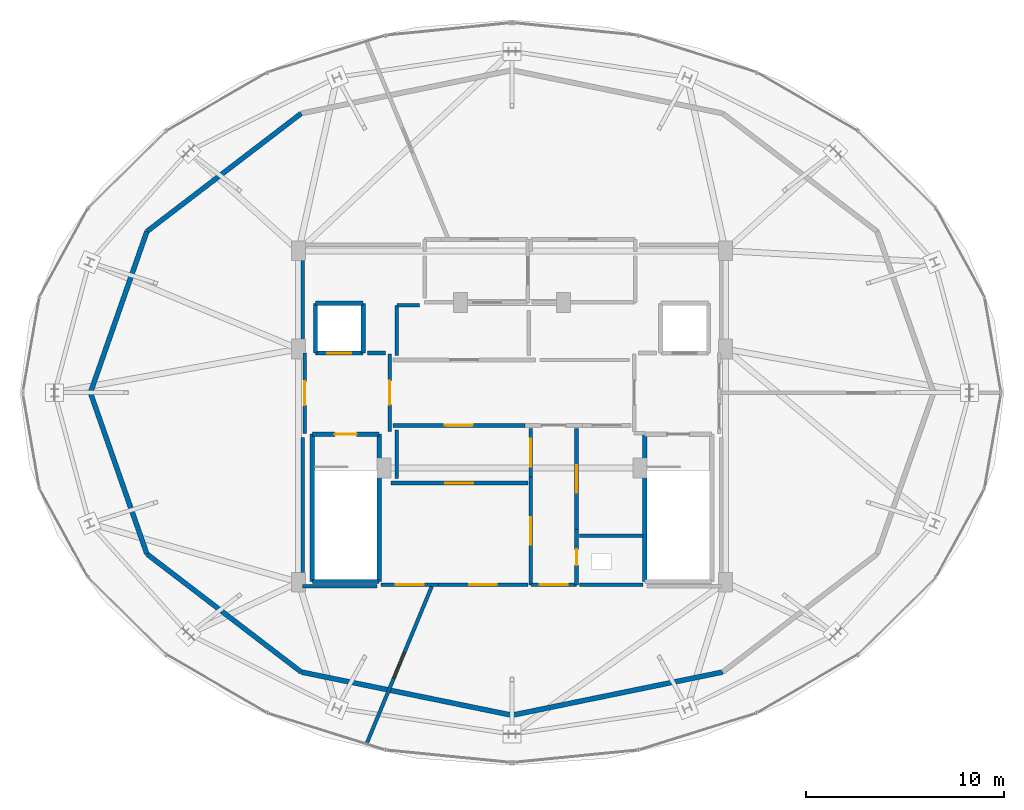
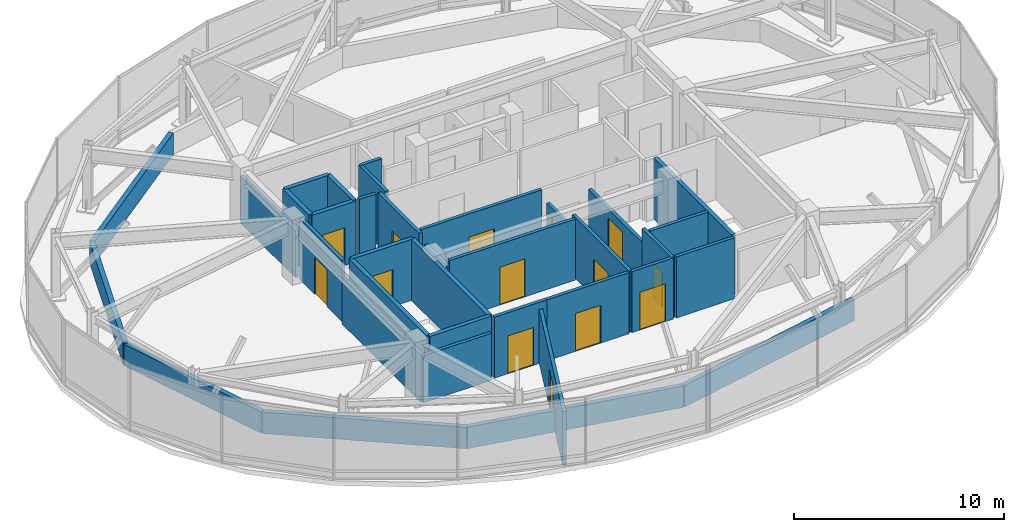
# One storey, part 25 of 28: 36 walls, 14 doors, 14 openings.
"""IFC4 building model written with IfcOpenShell, lengths in metres."""

from ifc_helpers import new_model, si_unit, direction, frame, frame_2d, origin, place, context, subcontext, project, spatial, rectangle, extrude, material, layer, layer_set, type_object, element, fill, save


model = new_model("IFC4")

# Units and contexts
model_context = context("Model", 3, precision=1e-05, world=origin(), true_north=direction((0.0, 1.0)))
body_context = subcontext(model_context, "Body", "Model", "MODEL_VIEW")
ifc_project = project(units=[si_unit("LENGTHUNIT", "METRE"), si_unit("AREAUNIT", "SQUARE_METRE"), si_unit("VOLUMEUNIT", "CUBIC_METRE"), si_unit("PLANEANGLEUNIT", "RADIAN"), si_unit("MASSUNIT", "GRAM", prefix="KILO")], contexts=[model_context])

# Site, building, storey
site_placement = place(None, origin())
site = spatial("IfcSite", under=ifc_project, at=site_placement, CompositionType="ELEMENT")
building_placement = place(site_placement, origin())
building = spatial("IfcBuilding", under=site, at=building_placement, Name="Vorneva Point Tower", CompositionType="ELEMENT")
storey_placement = place(building_placement, frame((0.0, 0.0, 295.39990234375)))
storey = spatial("IfcBuildingStorey", under=building, at=storey_placement, Name="C01", CompositionType="ELEMENT", Elevation=295.39990234375)

# Wall, opening, door
ifc_material_1 = material(Name="Concrete B60 (C50/60)", Category="concrete")
ifc_layer_1 = layer(ifc_material_1, 0.35009765625)
ifc_layer_set_1 = layer_set([ifc_layer_1], Name="Concrete B60 (C50/60)")
wall_type_1 = type_object("IfcWallType", Name="WL-CORE-350", PredefinedType="SHEAR", material=ifc_layer_set_1)
wall_1_placement = place(storey_placement, frame((28.10009765625, 28.0, 0.0), z_axis=(0.0, 0.0, 1.0), x_axis=(1.0, 0.0, 0.0)))
wall_1 = element("IfcWall", 1, at=wall_1_placement, inside=storey, type_object=wall_type_1, Name="C01 Lift FFL1 Shaft Wall -Y", PredefinedType="SHEAR", context=body_context, shape_type="SweptSolid", body=[
    extrude(rectangle(XDim=2.39990234375, YDim=0.219970703125, at=frame_2d((1.199951171875, 0.0))), origin(), (0.0, 0.0, 1.0), 3.550048828125),
])
opening_1_placement = place(wall_1_placement, frame((0.60009765625, 0.0, 0.0)))
opening_1 = element("IfcOpeningElement", 2, at=opening_1_placement, cuts=wall_1, Name="Opening LD-02", PredefinedType="OPENING", context=body_context, shape_type="SweptSolid", body=[
    extrude(rectangle(XDim=1.199951171875, YDim=2.199951171875, at=frame_2d((0.60009765625, 1.10009765625))), frame((0.0, 0.125, 0.0), z_axis=(0.0, -1.0, 0.0), x_axis=(1.0, 0.0, 0.0)), (0.0, 0.0, 1.0), 0.249755859375),
])
ifc_material_2 = material(Name="Brushed stainless steel S304", Category="steel")
door_type_1 = type_object("IfcDoorType", Name="LD-FIRE-1200", OperationType="SLIDING_TO_LEFT", PredefinedType="DOOR", material=ifc_material_2)
door_1_placement = place(opening_1_placement, origin())
door_1 = element("IfcDoor", 3, at=door_1_placement, inside=storey, type_object=door_type_1, Name="C01 Lift FFL1 Sliding Landing Door", OperationType="SLIDING_TO_LEFT", OverallHeight=2.199951171875, OverallWidth=1.199951171875, PredefinedType="DOOR", context=body_context, shape_type="SweptSolid", body=[
    extrude(rectangle(XDim=1.199951171875, YDim=2.199951171875, at=frame_2d((0.60009765625, 1.10009765625))), frame((0.0, 0.02490234375, 0.0), z_axis=(0.0, -1.0, 0.0), x_axis=(1.0, 0.0, 0.0)), (0.0, 0.0, 1.0), 0.050048828125),
])
fill(opening_1, door_1)

# Walls
wall_2_placement = place(storey_placement, frame((30.5, 28.0, 0.0), z_axis=(0.0, 0.0, 1.0), x_axis=(0.0, 1.0, 0.0)))
element("IfcWall", 4, at=wall_2_placement, inside=storey, type_object=wall_type_1, Name="C01 Lift FFL1 Shaft Wall +X", PredefinedType="SHEAR", context=body_context, shape_type="SweptSolid", body=[
    extrude(rectangle(XDim=2.5, YDim=0.219970703125, at=frame_2d((1.25, 0.0))), origin(), (0.0, 0.0, 1.0), 3.550048828125),
])
wall_3_placement = place(storey_placement, frame((30.5, 30.5, 0.0), z_axis=(0.0, 0.0, 1.0), x_axis=(-1.0, 0.0, 0.0)))
element("IfcWall", 5, at=wall_3_placement, inside=storey, type_object=wall_type_1, Name="C01 Lift FFL1 Shaft Wall +Y", PredefinedType="SHEAR", context=body_context, shape_type="SweptSolid", body=[
    extrude(rectangle(XDim=2.39990234375, YDim=0.219970703125, at=frame_2d((1.199951171875, 0.0))), origin(), (0.0, 0.0, 1.0), 3.550048828125),
])
wall_4_placement = place(storey_placement, frame((28.10009765625, 30.5, 0.0), z_axis=(0.0, 0.0, 1.0), x_axis=(0.0, -1.0, 0.0)))
element("IfcWall", 6, at=wall_4_placement, inside=storey, type_object=wall_type_1, Name="C01 Lift FFL1 Shaft Wall -X", PredefinedType="SHEAR", context=body_context, shape_type="SweptSolid", body=[
    extrude(rectangle(XDim=2.5, YDim=0.219970703125, at=frame_2d((1.25, 0.0))), origin(), (0.0, 0.0, 1.0), 3.550048828125),
])
ifc_material_3 = material(Name="Precast concrete B50 (C40/50)", Category="concrete")
ifc_layer_2 = layer(ifc_material_3, 0.25)
ifc_layer_set_2 = layer_set([ifc_layer_2], Name="Precast concrete B50 (C40/50)")
wall_type_2 = type_object("IfcWallType", Name="WL-PAR-250", PredefinedType="PARAPET", material=ifc_layer_set_2)
wall_5_placement = place(storey_placement, frame((27.37890625, 40.072998046875, 0.0), z_axis=(0.0, 0.0, 1.0), x_axis=(-0.794235350053, -0.607610244092, 0.0)))
element("IfcWall", 7, at=wall_5_placement, inside=storey, type_object=wall_type_2, Name="C01 Crown Maintenance Parapet Ring Wall 05", PredefinedType="PARAPET", context=body_context, shape_type="SweptSolid", body=[
    extrude(rectangle(XDim=9.7890625, YDim=0.25, at=frame_2d((4.89453125, 0.0))), origin(), (0.0, 0.0, 1.0), 1.25),
])
for number, where, z_axis, x_axis, name in (
    (8, (19.60400390625, 34.125, 0.0), (0.0, 0.0, 1.0), (-0.330577790312, -0.943778747669, 0.0), "C01 Crown Maintenance Parapet Ring Wall 06"),
    (9, (16.758056640625, 26.0, 0.0), (0.0, 0.0, 1.0), (0.330577790312, -0.943778747669, 0.0), "C01 Crown Maintenance Parapet Ring Wall 07"),
):
    element("IfcWall", number, at=place(storey_placement, frame(where, z_axis=z_axis, x_axis=x_axis)), inside=storey, type_object=wall_type_2, Name=name, PredefinedType="PARAPET", context=body_context, shape_type="SweptSolid", body=[
        extrude(rectangle(XDim=8.609130859375, YDim=0.25, at=frame_2d((4.3046875, 0.0))), origin(), (0.0, 0.0, 1.0), 1.25),
    ])
wall_6_placement = place(storey_placement, frame((19.60400390625, 17.875, 0.0), z_axis=(0.0, 0.0, 1.0), x_axis=(0.794235350053, -0.607610244092, 0.0)))
element("IfcWall", 10, at=wall_6_placement, inside=storey, type_object=wall_type_2, Name="C01 Crown Maintenance Parapet Ring Wall 08", PredefinedType="PARAPET", context=body_context, shape_type="SweptSolid", body=[
    extrude(rectangle(XDim=9.7890625, YDim=0.25, at=frame_2d((4.89453125, 0.0))), origin(), (0.0, 0.0, 1.0), 1.25),
])
for number, where, z_axis, x_axis, name in (
    (11, (27.37890625, 11.927001953125, 0.0), (0.0, 0.0, 1.0), (0.979633262956, -0.200795094837, 0.0), "C01 Crown Maintenance Parapet Ring Wall 09"),
    (12, (38.0, 9.75, 0.0), (0.0, 0.0, 1.0), (0.979633262956, 0.200795094837, 0.0), "C01 Crown Maintenance Parapet Ring Wall 10"),
):
    element("IfcWall", number, at=place(storey_placement, frame(where, z_axis=z_axis, x_axis=x_axis)), inside=storey, type_object=wall_type_2, Name=name, PredefinedType="PARAPET", context=body_context, shape_type="SweptSolid", body=[
        extrude(rectangle(XDim=10.841796875, YDim=0.25, at=frame_2d((5.4208984375, 0.0))), origin(), (0.0, 0.0, 1.0), 1.25),
    ])

# Wall, opening, door
ifc_material_4 = material(Name="Autoclaved aerated concrete blockwork", Category="masonry")
ifc_layer_3 = layer(ifc_material_4, 0.179931640625)
ifc_layer_set_3 = layer_set([ifc_layer_3], Name="Autoclaved aerated concrete blockwork")
wall_type_3 = type_object("IfcWallType", Name="WL-PART-180", PredefinedType="PARTITIONING", material=ifc_layer_set_3)
wall_7_placement = place(storey_placement, frame((31.85009765625, 24.044921875, 0.0), z_axis=(0.0, 0.0, 1.0), x_axis=(0.0, 1.0, 0.0)))
wall_7 = element("IfcWall", 13, at=wall_7_placement, inside=storey, type_object=wall_type_3, Name="C01 Interior Partition 001", PredefinedType="PARTITIONING", context=body_context, shape_type="SweptSolid", body=[
    extrude(rectangle(XDim=3.91015625, YDim=0.179931640625, at=frame_2d((1.955078125, 0.0))), origin(), (0.0, 0.0, 1.0), 3.550048828125),
])
opening_2_placement = place(wall_7_placement, frame((1.35498046875, 0.0, 0.0)))
opening_2 = element("IfcOpeningElement", 14, at=opening_2_placement, cuts=wall_7, Name="Opening FD-02", PredefinedType="OPENING", context=body_context, shape_type="SweptSolid", body=[
    extrude(rectangle(XDim=1.199951171875, YDim=2.14990234375, at=frame_2d((0.60009765625, 1.074951171875))), frame((0.0, 0.10498046875, 0.0), z_axis=(0.0, -1.0, 0.0), x_axis=(1.0, 0.0, 0.0)), (0.0, 0.0, 1.0), 0.209716796875),
])
ifc_material_5 = material(Name="Fire-rated powder-coated steel", Category="steel")
door_type_2 = type_object("IfcDoorType", Name="DR-FFL-1200", OperationType="NOTDEFINED", PredefinedType="DOOR", material=ifc_material_5)
door_2_placement = place(opening_2_placement, origin())
door_2 = element("IfcDoor", 15, at=door_2_placement, inside=storey, type_object=door_type_2, Name="C01 Door West Firefighting Lobby / Central Lift Lobby", OperationType="SINGLE_SWING_RIGHT", OverallHeight=2.14990234375, OverallWidth=1.199951171875, PredefinedType="DOOR", context=body_context, shape_type="SweptSolid", body=[
    extrude(rectangle(XDim=1.199951171875, YDim=2.14990234375, at=frame_2d((0.60009765625, 1.074951171875))), frame((0.0, 0.02490234375, 0.0), z_axis=(0.0, -1.0, 0.0), x_axis=(1.0, 0.0, 0.0)), (0.0, 0.0, 1.0), 0.050048828125),
])
fill(opening_2, door_2)

wall_8_placement = place(storey_placement, frame((27.550048828125, 28.0, 0.0), z_axis=(0.0, 0.0, 1.0), x_axis=(0.0, -1.0, 0.0)))
wall_8 = element("IfcWall", 16, at=wall_8_placement, inside=storey, type_object=wall_type_3, Name="C01 Interior Partition 002", PredefinedType="PARTITIONING", context=body_context, shape_type="SweptSolid", body=[
    extrude(rectangle(XDim=4.050048828125, YDim=0.179931640625, at=frame_2d((2.02490234375, 0.0))), origin(), (0.0, 0.0, 1.0), 3.550048828125),
])
opening_3_placement = place(wall_8_placement, frame((1.425048828125, 0.0, 0.0)))
opening_3 = element("IfcOpeningElement", 17, at=opening_3_placement, cuts=wall_8, Name="Opening FD-02", PredefinedType="OPENING", context=body_context, shape_type="SweptSolid", body=[
    extrude(rectangle(XDim=1.199951171875, YDim=2.14990234375, at=frame_2d((0.60009765625, 1.074951171875))), frame((0.0, 0.10498046875, 0.0), z_axis=(0.0, -1.0, 0.0), x_axis=(1.0, 0.0, 0.0)), (0.0, 0.0, 1.0), 0.209716796875),
])
door_3_placement = place(opening_3_placement, origin())
door_3 = element("IfcDoor", 18, at=door_3_placement, inside=storey, type_object=door_type_2, Name="C01 Door West Firefighting Lobby / Crown Heat Recovery Air Handling Plant", OperationType="SINGLE_SWING_RIGHT", OverallHeight=2.14990234375, OverallWidth=1.199951171875, PredefinedType="DOOR", context=body_context, shape_type="SweptSolid", body=[
    extrude(rectangle(XDim=1.199951171875, YDim=2.14990234375, at=frame_2d((0.60009765625, 1.074951171875))), frame((0.0, 0.02490234375, 0.0), z_axis=(0.0, -1.0, 0.0), x_axis=(1.0, 0.0, 0.0)), (0.0, 0.0, 1.0), 0.050048828125),
])
fill(opening_3, door_3)

wall_9_placement = place(storey_placement, frame((32.0, 24.35009765625, 0.0), z_axis=(0.0, 0.0, 1.0), x_axis=(1.0, 0.0, 0.0)))
wall_9 = element("IfcWall", 19, at=wall_9_placement, inside=storey, type_object=wall_type_3, Name="C01 Interior Partition 010", PredefinedType="PARTITIONING", context=body_context, shape_type="SweptSolid", body=[
    extrude(rectangle(XDim=6.64501953125, YDim=0.179931640625, at=frame_2d((3.322509765625, 0.0))), origin(), (0.0, 0.0, 1.0), 3.550048828125),
])
opening_4_placement = place(wall_9_placement, frame((2.62255859375, 0.0, 0.0)))
opening_4 = element("IfcOpeningElement", 20, at=opening_4_placement, cuts=wall_9, Name="Opening FD-03", PredefinedType="OPENING", context=body_context, shape_type="SweptSolid", body=[
    extrude(rectangle(XDim=1.39990234375, YDim=2.199951171875, at=frame_2d((0.699951171875, 1.10009765625))), frame((0.0, 0.10498046875, 0.0), z_axis=(0.0, -1.0, 0.0), x_axis=(1.0, 0.0, 0.0)), (0.0, 0.0, 1.0), 0.209716796875),
])
door_type_3 = type_object("IfcDoorType", Name="DR-PLT-1400", OperationType="DOUBLE_SWING_LEFT", PredefinedType="DOOR", material=ifc_material_5)
door_4_placement = place(opening_4_placement, origin())
door_4 = element("IfcDoor", 21, at=door_4_placement, inside=storey, type_object=door_type_3, Name="C01 Door Central Lift Lobby / Crown Damper Control Room C01", OperationType="DOUBLE_SWING_LEFT", OverallHeight=2.199951171875, OverallWidth=1.39990234375, PredefinedType="DOOR", context=body_context, shape_type="SweptSolid", body=[
    extrude(rectangle(XDim=1.39990234375, YDim=2.199951171875, at=frame_2d((0.699951171875, 1.10009765625))), frame((0.0, 0.02490234375, 0.0), z_axis=(0.0, -1.0, 0.0), x_axis=(1.0, 0.0, 0.0)), (0.0, 0.0, 1.0), 0.050048828125),
])
fill(opening_4, door_4)

wall_10_placement = place(storey_placement, frame((38.949951171875, 21.7548828125, 0.0), z_axis=(0.0, 0.0, 1.0), x_axis=(0.0, -1.0, 0.0)))
wall_10 = element("IfcWall", 22, at=wall_10_placement, inside=storey, type_object=wall_type_3, Name="C01 Interior Partition 011", PredefinedType="PARTITIONING", context=body_context, shape_type="SweptSolid", body=[
    extrude(rectangle(XDim=5.434814453125, YDim=0.179931640625, at=frame_2d((2.71728515625, 0.0))), origin(), (0.0, 0.0, 1.0), 3.550048828125),
])
opening_5_placement = place(wall_10_placement, frame((2.017578125, 0.0, 0.0)))
opening_5 = element("IfcOpeningElement", 23, at=opening_5_placement, cuts=wall_10, Name="Opening FD-03", PredefinedType="OPENING", context=body_context, shape_type="SweptSolid", body=[
    extrude(rectangle(XDim=1.39990234375, YDim=2.199951171875, at=frame_2d((0.699951171875, 1.10009765625))), frame((0.0, 0.10498046875, 0.0), z_axis=(0.0, -1.0, 0.0), x_axis=(1.0, 0.0, 0.0)), (0.0, 0.0, 1.0), 0.209716796875),
])
door_5_placement = place(opening_5_placement, origin())
door_5 = element("IfcDoor", 24, at=door_5_placement, inside=storey, type_object=door_type_3, Name="C01 Door Core Service Lobby / Core Hydraulic Pump Plant C01", OperationType="DOUBLE_SWING_LEFT", OverallHeight=2.199951171875, OverallWidth=1.39990234375, PredefinedType="DOOR", context=body_context, shape_type="SweptSolid", body=[
    extrude(rectangle(XDim=1.39990234375, YDim=2.199951171875, at=frame_2d((0.699951171875, 1.10009765625))), frame((0.0, 0.02490234375, 0.0), z_axis=(0.0, -1.0, 0.0), x_axis=(1.0, 0.0, 0.0)), (0.0, 0.0, 1.0), 0.050048828125),
])
fill(opening_5, door_5)

wall_11_placement = place(storey_placement, frame((41.25, 16.320068359375, 0.0), z_axis=(0.0, 0.0, 1.0), x_axis=(0.0, 1.0, 0.0)))
wall_11 = element("IfcWall", 25, at=wall_11_placement, inside=storey, type_object=wall_type_3, Name="C01 Interior Partition 012", PredefinedType="PARTITIONING", context=body_context, shape_type="SweptSolid", body=[
    extrude(rectangle(XDim=2.784912109375, YDim=0.179931640625, at=frame_2d((1.392578125, 0.0))), origin(), (0.0, 0.0, 1.0), 3.550048828125),
])
opening_6_placement = place(wall_11_placement, frame((0.992431640625, 0.0, 0.0)))
opening_6 = element("IfcOpeningElement", 26, at=opening_6_placement, cuts=wall_11, Name="Opening RD-01", PredefinedType="OPENING", context=body_context, shape_type="SweptSolid", body=[
    extrude(rectangle(XDim=0.800048828125, YDim=2.050048828125, at=frame_2d((0.39990234375, 1.02490234375))), frame((0.0, 0.10498046875, 0.0), z_axis=(0.0, -1.0, 0.0), x_axis=(1.0, 0.0, 0.0)), (0.0, 0.0, 1.0), 0.209716796875),
])
door_type_4 = type_object("IfcDoorType", Name="DR-RSR-800", OperationType="SINGLE_SWING_LEFT", PredefinedType="DOOR", material=ifc_material_5)
door_6_placement = place(opening_6_placement, origin())
door_6 = element("IfcDoor", 27, at=door_6_placement, inside=storey, type_object=door_type_4, Name="C01 Door Core Service Lobby / Electrical Riser", OperationType="SINGLE_SWING_LEFT", OverallHeight=2.050048828125, OverallWidth=0.800048828125, PredefinedType="DOOR", context=body_context, shape_type="SweptSolid", body=[
    extrude(rectangle(XDim=0.800048828125, YDim=2.050048828125, at=frame_2d((0.39990234375, 1.02490234375))), frame((0.0, 0.02490234375, 0.0), z_axis=(0.0, -1.0, 0.0), x_axis=(1.0, 0.0, 0.0)), (0.0, 0.0, 1.0), 0.050048828125),
])
fill(opening_6, door_6)

wall_12_placement = place(storey_placement, frame((41.25, 19.10498046875, 0.0), z_axis=(0.0, 0.0, 1.0), x_axis=(0.0, 1.0, 0.0)))
wall_12 = element("IfcWall", 28, at=wall_12_placement, inside=storey, type_object=wall_type_3, Name="C01 Interior Partition 013", PredefinedType="PARTITIONING", context=body_context, shape_type="SweptSolid", body=[
    extrude(rectangle(XDim=5.094970703125, YDim=0.179931640625, at=frame_2d((2.54736328125, 0.0))), origin(), (0.0, 0.0, 1.0), 2.7421875),
])
opening_7_placement = place(wall_12_placement, frame((1.847412109375, 0.0, 0.0)))
opening_7 = element("IfcOpeningElement", 29, at=opening_7_placement, cuts=wall_12, Name="Opening FD-03", PredefinedType="OPENING", context=body_context, shape_type="SweptSolid", body=[
    extrude(rectangle(XDim=1.39990234375, YDim=2.199951171875, at=frame_2d((0.699951171875, 1.10009765625))), frame((0.0, 0.10498046875, 0.0), z_axis=(0.0, -1.0, 0.0), x_axis=(1.0, 0.0, 0.0)), (0.0, 0.0, 1.0), 0.209716796875),
])
door_7_placement = place(opening_7_placement, origin())
door_7 = element("IfcDoor", 30, at=door_7_placement, inside=storey, type_object=door_type_3, Name="C01 Door Core Service Lobby / Core BMS Control Plant C01", OperationType="DOUBLE_SWING_LEFT", OverallHeight=2.199951171875, OverallWidth=1.39990234375, PredefinedType="DOOR", context=body_context, shape_type="SweptSolid", body=[
    extrude(rectangle(XDim=1.39990234375, YDim=2.199951171875, at=frame_2d((0.699951171875, 1.10009765625))), frame((0.0, 0.02490234375, 0.0), z_axis=(0.0, -1.0, 0.0), x_axis=(1.0, 0.0, 0.0)), (0.0, 0.0, 1.0), 0.050048828125),
])
fill(opening_7, door_7)

wall_13_placement = place(storey_placement, frame((38.949951171875, 24.199951171875, 0.0), z_axis=(0.0, 0.0, 1.0), x_axis=(0.0, -1.0, 0.0)))
wall_13 = element("IfcWall", 31, at=wall_13_placement, inside=storey, type_object=wall_type_3, Name="C01 Interior Partition 014", PredefinedType="PARTITIONING", context=body_context, shape_type="SweptSolid", body=[
    extrude(rectangle(XDim=2.445068359375, YDim=0.179931640625, at=frame_2d((1.22265625, 0.0))), origin(), (0.0, 0.0, 1.0), 2.7421875),
])
opening_8_placement = place(wall_13_placement, frame((0.5224609375, 0.0, 0.0)))
opening_8 = element("IfcOpeningElement", 32, at=opening_8_placement, cuts=wall_13, Name="Opening FD-03", PredefinedType="OPENING", context=body_context, shape_type="SweptSolid", body=[
    extrude(rectangle(XDim=1.39990234375, YDim=2.199951171875, at=frame_2d((0.699951171875, 1.10009765625))), frame((0.0, 0.10498046875, 0.0), z_axis=(0.0, -1.0, 0.0), x_axis=(1.0, 0.0, 0.0)), (0.0, 0.0, 1.0), 0.209716796875),
])
door_8_placement = place(opening_8_placement, origin())
door_8 = element("IfcDoor", 33, at=door_8_placement, inside=storey, type_object=door_type_3, Name="C01 Door Core Service Lobby / Crown Damper Control Room C01", OperationType="DOUBLE_SWING_LEFT", OverallHeight=2.199951171875, OverallWidth=1.39990234375, PredefinedType="DOOR", context=body_context, shape_type="SweptSolid", body=[
    extrude(rectangle(XDim=1.39990234375, YDim=2.199951171875, at=frame_2d((0.699951171875, 1.10009765625))), frame((0.0, 0.02490234375, 0.0), z_axis=(0.0, -1.0, 0.0), x_axis=(1.0, 0.0, 0.0)), (0.0, 0.0, 1.0), 0.050048828125),
])
fill(opening_8, door_8)

wall_14_placement = place(storey_placement, frame((38.949951171875, 16.320068359375, 0.0), z_axis=(0.0, 0.0, 1.0), x_axis=(1.0, 0.0, 0.0)))
wall_14 = element("IfcWall", 34, at=wall_14_placement, inside=storey, type_object=wall_type_3, Name="C01 Interior Partition 015", PredefinedType="PARTITIONING", context=body_context, shape_type="SweptSolid", body=[
    extrude(rectangle(XDim=2.300048828125, YDim=0.179931640625, at=frame_2d((1.14990234375, 0.0))), origin(), (0.0, 0.0, 1.0), 3.550048828125),
])
opening_9_placement = place(wall_14_placement, frame((0.449951171875, 0.0, 0.0)))
opening_9 = element("IfcOpeningElement", 35, at=opening_9_placement, cuts=wall_14, Name="Opening FD-03", PredefinedType="OPENING", context=body_context, shape_type="SweptSolid", body=[
    extrude(rectangle(XDim=1.39990234375, YDim=2.199951171875, at=frame_2d((0.699951171875, 1.10009765625))), frame((0.0, 0.10498046875, 0.0), z_axis=(0.0, -1.0, 0.0), x_axis=(1.0, 0.0, 0.0)), (0.0, 0.0, 1.0), 0.209716796875),
])
door_9_placement = place(opening_9_placement, origin())
door_9 = element("IfcDoor", 36, at=door_9_placement, inside=storey, type_object=door_type_3, Name="C01 Door Core Service Lobby / Crown Electrical Switchgear Plant Room", OperationType="DOUBLE_SWING_LEFT", OverallHeight=2.199951171875, OverallWidth=1.39990234375, PredefinedType="DOOR", context=body_context, shape_type="SweptSolid", body=[
    extrude(rectangle(XDim=1.39990234375, YDim=2.199951171875, at=frame_2d((0.699951171875, 1.10009765625))), frame((0.0, 0.02490234375, 0.0), z_axis=(0.0, -1.0, 0.0), x_axis=(1.0, 0.0, 0.0)), (0.0, 0.0, 1.0), 0.050048828125),
])
fill(opening_9, door_9)

wall_15_placement = place(storey_placement, frame((38.800048828125, 21.449951171875, 0.0), z_axis=(0.0, 0.0, 1.0), x_axis=(-1.0, 0.0, 0.0)))
wall_15 = element("IfcWall", 37, at=wall_15_placement, inside=storey, type_object=wall_type_3, Name="C01 Interior Partition 024", PredefinedType="PARTITIONING", context=body_context, shape_type="SweptSolid", body=[
    extrude(rectangle(XDim=6.905029296875, YDim=0.179931640625, at=frame_2d((3.45263671875, 0.0))), origin(), (0.0, 0.0, 1.0), 3.550048828125),
])
opening_10_placement = place(wall_15_placement, frame((2.75244140625, 0.0, 0.0)))
opening_10 = element("IfcOpeningElement", 38, at=opening_10_placement, cuts=wall_15, Name="Opening FD-03", PredefinedType="OPENING", context=body_context, shape_type="SweptSolid", body=[
    extrude(rectangle(XDim=1.39990234375, YDim=2.199951171875, at=frame_2d((0.699951171875, 1.10009765625))), frame((0.0, 0.10498046875, 0.0), z_axis=(0.0, -1.0, 0.0), x_axis=(1.0, 0.0, 0.0)), (0.0, 0.0, 1.0), 0.209716796875),
])
door_10_placement = place(opening_10_placement, origin())
door_10 = element("IfcDoor", 39, at=door_10_placement, inside=storey, type_object=door_type_3, Name="C01 Door Core Hydraulic Pump Plant C01 / Crown Damper Control Room C01", OperationType="DOUBLE_SWING_LEFT", OverallHeight=2.199951171875, OverallWidth=1.39990234375, PredefinedType="DOOR", context=body_context, shape_type="SweptSolid", body=[
    extrude(rectangle(XDim=1.39990234375, YDim=2.199951171875, at=frame_2d((0.699951171875, 1.10009765625))), frame((0.0, 0.02490234375, 0.0), z_axis=(0.0, -1.0, 0.0), x_axis=(1.0, 0.0, 0.0)), (0.0, 0.0, 1.0), 0.050048828125),
])
fill(opening_10, door_10)

wall_16_placement = place(storey_placement, frame((31.39990234375, 16.320068359375, 0.0), z_axis=(0.0, 0.0, 1.0), x_axis=(1.0, 0.0, 0.0)))
wall_16 = element("IfcWall", 40, at=wall_16_placement, inside=storey, type_object=wall_type_3, Name="C01 Interior Partition 025", PredefinedType="PARTITIONING", context=body_context, shape_type="SweptSolid", body=[
    extrude(rectangle(XDim=2.88720703125, YDim=0.179931640625, at=frame_2d((1.443603515625, 0.0))), origin(), (0.0, 0.0, 1.0), 3.550048828125),
])
opening_11_placement = place(wall_16_placement, frame((0.743408203125, 0.0, 0.0)))
opening_11 = element("IfcOpeningElement", 41, at=opening_11_placement, cuts=wall_16, Name="Opening FD-03", PredefinedType="OPENING", context=body_context, shape_type="SweptSolid", body=[
    extrude(rectangle(XDim=1.39990234375, YDim=2.199951171875, at=frame_2d((0.699951171875, 1.10009765625))), frame((0.0, 0.10498046875, 0.0), z_axis=(0.0, -1.0, 0.0), x_axis=(1.0, 0.0, 0.0)), (0.0, 0.0, 1.0), 0.209716796875),
])
door_11_placement = place(opening_11_placement, origin())
door_11 = element("IfcDoor", 42, at=door_11_placement, inside=storey, type_object=door_type_3, Name="C01 Door Core Hydraulic Pump Plant C01 / Crown Heat Recovery Air Handling Plant", OperationType="DOUBLE_SWING_LEFT", OverallHeight=2.199951171875, OverallWidth=1.39990234375, PredefinedType="DOOR", context=body_context, shape_type="SweptSolid", body=[
    extrude(rectangle(XDim=1.39990234375, YDim=2.199951171875, at=frame_2d((0.699951171875, 1.10009765625))), frame((0.0, 0.02490234375, 0.0), z_axis=(0.0, -1.0, 0.0), x_axis=(1.0, 0.0, 0.0)), (0.0, 0.0, 1.0), 0.050048828125),
])
fill(opening_11, door_11)

wall_17_placement = place(storey_placement, frame((34.287109375, 16.320068359375, 0.0), z_axis=(0.0, 0.0, 1.0), x_axis=(1.0, 0.0, 0.0)))
wall_17 = element("IfcWall", 43, at=wall_17_placement, inside=storey, type_object=wall_type_3, Name="C01 Interior Partition 026", PredefinedType="PARTITIONING", context=body_context, shape_type="SweptSolid", body=[
    extrude(rectangle(XDim=4.512939453125, YDim=0.179931640625, at=frame_2d((2.25634765625, 0.0))), origin(), (0.0, 0.0, 1.0), 3.550048828125),
])
opening_12_placement = place(wall_17_placement, frame((1.556396484375, 0.0, 0.0)))
opening_12 = element("IfcOpeningElement", 44, at=opening_12_placement, cuts=wall_17, Name="Opening FD-03", PredefinedType="OPENING", context=body_context, shape_type="SweptSolid", body=[
    extrude(rectangle(XDim=1.39990234375, YDim=2.199951171875, at=frame_2d((0.699951171875, 1.10009765625))), frame((0.0, 0.10498046875, 0.0), z_axis=(0.0, -1.0, 0.0), x_axis=(1.0, 0.0, 0.0)), (0.0, 0.0, 1.0), 0.209716796875),
])
door_12_placement = place(opening_12_placement, origin())
door_12 = element("IfcDoor", 45, at=door_12_placement, inside=storey, type_object=door_type_3, Name="C01 Door Core Hydraulic Pump Plant C01 / Crown Electrical Switchgear Plant Room", OperationType="DOUBLE_SWING_LEFT", OverallHeight=2.199951171875, OverallWidth=1.39990234375, PredefinedType="DOOR", context=body_context, shape_type="SweptSolid", body=[
    extrude(rectangle(XDim=1.39990234375, YDim=2.199951171875, at=frame_2d((0.699951171875, 1.10009765625))), frame((0.0, 0.02490234375, 0.0), z_axis=(0.0, -1.0, 0.0), x_axis=(1.0, 0.0, 0.0)), (0.0, 0.0, 1.0), 0.050048828125),
])
fill(opening_12, door_12)

# Walls
for number, where, z_axis, x_axis, name in (
    (46, (44.60009765625, 18.800048828125, 0.0), (0.0, 0.0, 1.0), (-1.0, 0.0, 0.0), "C01 Interior Partition 027"),
    (47, (41.39990234375, 16.320068359375, 0.0), (0.0, 0.0, 1.0), (1.0, 0.0, 0.0), "C01 Interior Partition 028"),
):
    element("IfcWall", number, at=place(storey_placement, frame(where, z_axis=z_axis, x_axis=x_axis)), inside=storey, type_object=wall_type_3, Name=name, PredefinedType="PARTITIONING", context=body_context, shape_type="SweptSolid", body=[
        extrude(rectangle(XDim=3.2001953125, YDim=0.179931640625, at=frame_2d((1.60009765625, 0.0))), origin(), (0.0, 0.0, 1.0), 3.550048828125),
    ])

# Wall, opening, door
wall_18_placement = place(storey_placement, frame((30.672119140625, 8.306884765625, 0.0), z_axis=(0.0, 0.0, 1.0), x_axis=(0.382575296322, 0.923924316513, 0.0)))
wall_18 = element("IfcWall", 48, at=wall_18_placement, inside=storey, type_object=wall_type_3, Name="C01 Interior Partition 031", PredefinedType="PARTITIONING", context=body_context, shape_type="SweptSolid", body=[
    extrude(rectangle(XDim=8.58642578125, YDim=0.179931640625, at=frame_2d((4.293212890625, 0.0))), origin(), (0.0, 0.0, 1.0), 3.134033203125),
])
opening_13_placement = place(wall_18_placement, frame((3.593017578125, 0.0, 0.0)))
opening_13 = element("IfcOpeningElement", 49, at=opening_13_placement, cuts=wall_18, Name="Opening FD-03", PredefinedType="OPENING", context=body_context, shape_type="SweptSolid", body=[
    extrude(rectangle(XDim=1.39990234375, YDim=2.199951171875, at=frame_2d((0.699951171875, 1.10009765625))), frame((0.0, 0.10498046875, 0.0), z_axis=(0.0, -1.0, 0.0), x_axis=(1.0, 0.0, 0.0)), (0.0, 0.0, 1.0), 0.209716796875),
])
door_13_placement = place(opening_13_placement, origin())
door_13 = element("IfcDoor", 50, at=door_13_placement, inside=storey, type_object=door_type_3, Name="C01 Door Crown Heat Recovery Air Handling Plant / Crown Electrical Switchgear Plant Room", OperationType="DOUBLE_SWING_LEFT", OverallHeight=2.199951171875, OverallWidth=1.39990234375, PredefinedType="DOOR", context=body_context, shape_type="SweptSolid", body=[
    extrude(rectangle(XDim=1.39990234375, YDim=2.199951171875, at=frame_2d((0.699951171875, 1.10009765625))), frame((0.0, 0.02490234375, 0.0), z_axis=(0.0, -1.0, 0.0), x_axis=(1.0, 0.0, 0.0)), (0.0, 0.0, 1.0), 0.050048828125),
])
fill(opening_13, door_13)

# Walls
wall_19_placement = place(storey_placement, frame((31.635009765625, 28.0, 0.0), z_axis=(0.0, 0.0, 1.0), x_axis=(-1.0, 0.0, 0.0)))
element("IfcWall", 51, at=wall_19_placement, inside=storey, type_object=wall_type_3, Name="C01 Interior Closure Partition 032", PredefinedType="PARTITIONING", context=body_context, shape_type="SweptSolid", body=[
    extrude(rectangle(XDim=0.9150390625, YDim=0.179931640625, at=frame_2d((0.45751953125, 0.0))), origin(), (0.0, 0.0, 1.0), 3.550048828125),
])
wall_20_placement = place(storey_placement, frame((33.343994140625, 30.39990234375, 0.0), z_axis=(0.0, 0.0, 1.0), x_axis=(-1.0, 0.0, 0.0)))
element("IfcWall", 52, at=wall_20_placement, inside=storey, type_object=wall_type_3, Name="C01 Interior Closure Partition 038", PredefinedType="PARTITIONING", context=body_context, shape_type="SweptSolid", body=[
    extrude(rectangle(XDim=1.14404296875, YDim=0.179931640625, at=frame_2d((0.572021484375, 0.0))), origin(), (0.0, 0.0, 1.0), 3.550048828125),
])
wall_21_placement = place(storey_placement, frame((32.199951171875, 30.39990234375, 0.0), z_axis=(0.0, 0.0, 1.0), x_axis=(0.0, -1.0, 0.0)))
element("IfcWall", 53, at=wall_21_placement, inside=storey, type_object=wall_type_3, Name="C01 Interior Closure Partition 039", PredefinedType="PARTITIONING", context=body_context, shape_type="SweptSolid", body=[
    extrude(rectangle(XDim=2.52978515625, YDim=0.179931640625, at=frame_2d((1.264892578125, 0.0))), origin(), (0.0, 0.0, 1.0), 3.550048828125),
])
wall_22_placement = place(storey_placement, frame((32.199951171875, 24.1298828125, 0.0), z_axis=(0.0, 0.0, 1.0), x_axis=(0.0, -1.0, 0.0)))
element("IfcWall", 54, at=wall_22_placement, inside=storey, type_object=wall_type_3, Name="C01 Interior Closure Partition 041", PredefinedType="PARTITIONING", context=body_context, shape_type="SweptSolid", body=[
    extrude(rectangle(XDim=2.4599609375, YDim=0.179931640625, at=frame_2d((1.22998046875, 0.0))), origin(), (0.0, 0.0, 1.0), 2.7421875),
])
wall_23_placement = place(storey_placement, frame((31.195068359375, 16.239990234375, 0.0), z_axis=(0.0, 0.0, 1.0), x_axis=(-1.0, 0.0, 0.0)))
element("IfcWall", 55, at=wall_23_placement, inside=storey, type_object=wall_type_3, Name="C01 Interior Closure Partition 044", PredefinedType="PARTITIONING", context=body_context, shape_type="SweptSolid", body=[
    extrude(rectangle(XDim=3.7451171875, YDim=0.179931640625, at=frame_2d((1.87255859375, 0.0))), origin(), (0.0, 0.0, 1.0), 2.7421875),
])
wall_24_placement = place(storey_placement, frame((27.449951171875, 16.239990234375, 0.0), z_axis=(0.0, 0.0, 1.0), x_axis=(0.0, 1.0, 0.0)))
element("IfcWall", 56, at=wall_24_placement, inside=storey, type_object=wall_type_3, Name="C01 Interior Closure Partition 045", PredefinedType="PARTITIONING", context=body_context, shape_type="SweptSolid", body=[
    extrude(rectangle(XDim=7.513916015625, YDim=0.179931640625, at=frame_2d((3.7568359375, 0.0))), origin(), (0.0, 0.0, 1.0), 2.7421875),
])
wall_25_placement = place(storey_placement, frame((27.449951171875, 28.196044921875, 0.0), z_axis=(0.0, 0.0, 1.0), x_axis=(0.0, 1.0, 0.0)))
element("IfcWall", 57, at=wall_25_placement, inside=storey, type_object=wall_type_3, Name="C01 Interior Closure Partition 046", PredefinedType="PARTITIONING", context=body_context, shape_type="SweptSolid", body=[
    extrude(rectangle(XDim=5.25390625, YDim=0.179931640625, at=frame_2d((2.626953125, 0.0))), origin(), (0.0, 0.0, 1.0), 2.7421875),
])

# Wall, opening, door
ifc_material_6 = material(Name="Concrete B50 (C40/50)", Category="concrete")
ifc_layer_4 = layer(ifc_material_6, 0.219970703125)
ifc_layer_set_4 = layer_set([ifc_layer_4], Name="Concrete B50 (C40/50)")
wall_type_4 = type_object("IfcWallType", Name="WL-SHFT-220", PredefinedType="SOLIDWALL", material=ifc_layer_set_4)
wall_26_placement = place(storey_placement, frame((27.93994140625, 23.909912109375, 0.0), z_axis=(0.0, 0.0, 1.0), x_axis=(1.0, 0.0, 0.0)))
wall_26 = element("IfcWall", 58, at=wall_26_placement, inside=storey, type_object=wall_type_4, Name="C01 Exit Stair ST1 Shaft Wall near", PredefinedType="SOLIDWALL", context=body_context, shape_type="SweptSolid", body=[
    extrude(rectangle(XDim=3.3701171875, YDim=0.219970703125, at=frame_2d((1.68505859375, 0.0))), origin(), (0.0, 0.0, 1.0), 3.550048828125),
])
opening_14_placement = place(wall_26_placement, frame((1.135009765625, 0.0, 0.0)))
opening_14 = element("IfcOpeningElement", 59, at=opening_14_placement, cuts=wall_26, Name="Opening FD-01", PredefinedType="OPENING", context=body_context, shape_type="SweptSolid", body=[
    extrude(rectangle(XDim=1.10009765625, YDim=2.14990234375, at=frame_2d((0.550048828125, 1.074951171875))), frame((0.0, 0.125, 0.0), z_axis=(0.0, -1.0, 0.0), x_axis=(1.0, 0.0, 0.0)), (0.0, 0.0, 1.0), 0.249755859375),
])
door_type_5 = type_object("IfcDoorType", Name="DR-STAIR-1100", OperationType="NOTDEFINED", PredefinedType="DOOR", material=ifc_material_5)
door_14_placement = place(opening_14_placement, origin())
door_14 = element("IfcDoor", 60, at=door_14_placement, inside=storey, type_object=door_type_5, Name="C01 Exit Stair ST1 Fire Door", OperationType="SINGLE_SWING_LEFT", OverallHeight=2.14990234375, OverallWidth=1.10009765625, PredefinedType="DOOR", context=body_context, shape_type="SweptSolid", body=[
    extrude(rectangle(XDim=1.10009765625, YDim=2.14990234375, at=frame_2d((0.550048828125, 1.074951171875))), frame((0.0, 0.02490234375, 0.0), z_axis=(0.0, -1.0, 0.0), x_axis=(1.0, 0.0, 0.0)), (0.0, 0.0, 1.0), 0.050048828125),
])
fill(opening_14, door_14)

# Walls
wall_27_placement = place(storey_placement, frame((31.31005859375, 23.909912109375, 0.0), z_axis=(0.0, 0.0, 1.0), x_axis=(0.0, -1.0, 0.0)))
element("IfcWall", 61, at=wall_27_placement, inside=storey, type_object=wall_type_4, Name="C01 Exit Stair ST1 Shaft Wall right", PredefinedType="SOLIDWALL", context=body_context, shape_type="SweptSolid", body=[
    extrude(rectangle(XDim=7.419921875, YDim=0.219970703125, at=frame_2d((3.7099609375, 0.0))), origin(), (0.0, 0.0, 1.0), 3.550048828125),
])
wall_28_placement = place(storey_placement, frame((31.31005859375, 16.489990234375, 0.0), z_axis=(0.0, 0.0, 1.0), x_axis=(-1.0, 0.0, 0.0)))
element("IfcWall", 62, at=wall_28_placement, inside=storey, type_object=wall_type_4, Name="C01 Exit Stair ST1 Shaft Wall far", PredefinedType="SOLIDWALL", context=body_context, shape_type="SweptSolid", body=[
    extrude(rectangle(XDim=3.3701171875, YDim=0.219970703125, at=frame_2d((1.68505859375, 0.0))), origin(), (0.0, 0.0, 1.0), 3.550048828125),
])
for number, where, z_axis, x_axis, name in (
    (63, (27.93994140625, 16.489990234375, 0.0), (0.0, 0.0, 1.0), (0.0, 1.0, 0.0), "C01 Exit Stair ST1 Shaft Wall left"),
    (64, (44.68994140625, 16.489990234375, 0.0), (0.0, 0.0, 1.0), (0.0, 1.0, 0.0), "C01 Exit Stair ST2 Shaft Wall left"),
):
    element("IfcWall", number, at=place(storey_placement, frame(where, z_axis=z_axis, x_axis=x_axis)), inside=storey, type_object=wall_type_4, Name=name, PredefinedType="SOLIDWALL", context=body_context, shape_type="SweptSolid", body=[
        extrude(rectangle(XDim=7.419921875, YDim=0.219970703125, at=frame_2d((3.7099609375, 0.0))), origin(), (0.0, 0.0, 1.0), 3.550048828125),
    ])

save(model, "model.ifc")
